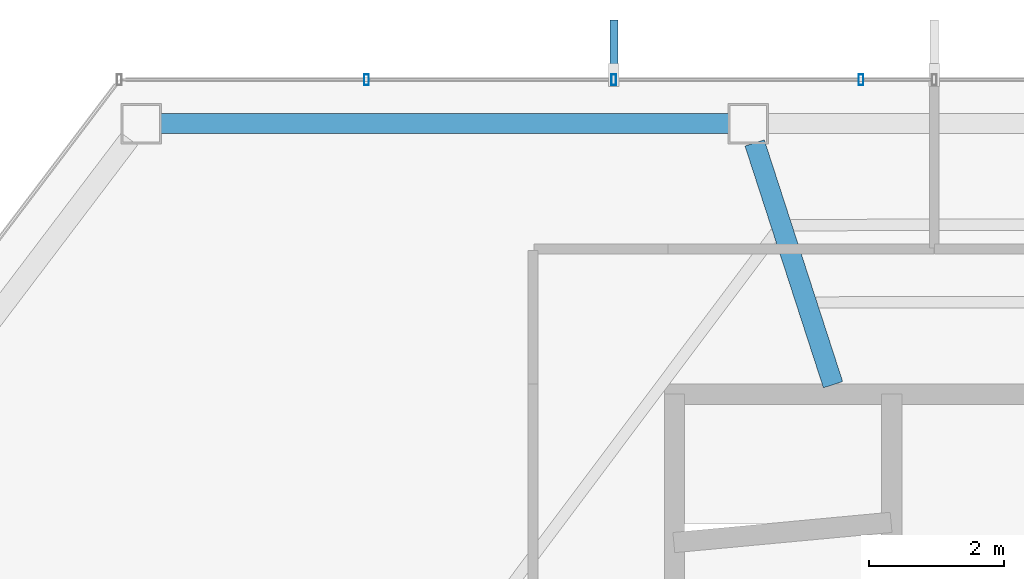
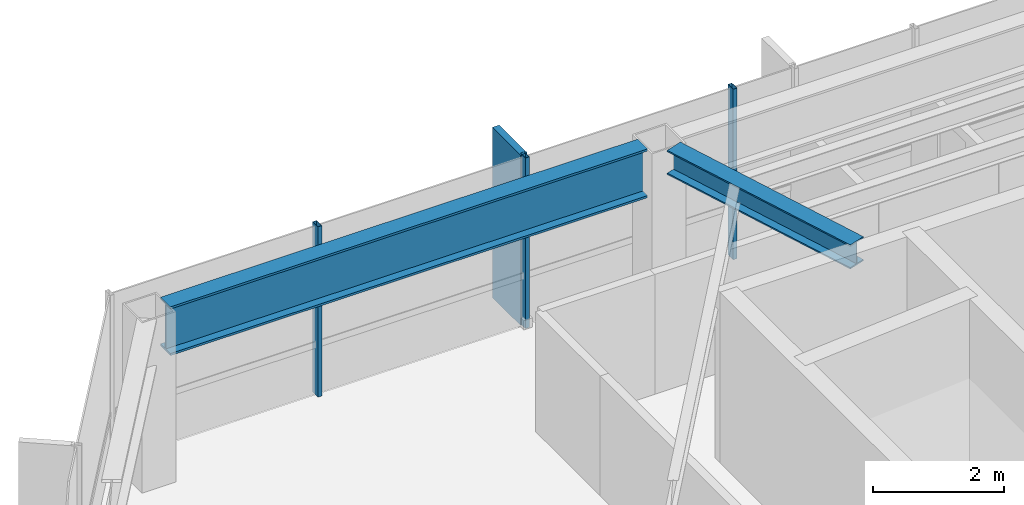
# One storey, part 11 of 25: 4 members, 2 beams, 1 element without a shape of its own.
"""IFC4 building model written with IfcOpenShell, lengths in metres."""

import ifcopenshell
import ifcopenshell.guid

model = None  # the IFC model being written
_history = None  # IfcOwnerHistory: only IFC2X3 demands one
_inside = {}  # id of a spatial element -> (the spatial element, [elements in it])
_under = {}  # id of a project, library or spatial element -> (it, [spatial elements below it])
_declared = {}  # id of a project -> (the project, [libraries it declares])
_typed = {}  # id of a type object -> (the type object, [elements of that type])
_made_of = {}  # id of a material, layer set ... -> (it, [elements and type objects made of it])


def new_model(schema):
    """Start an empty IFC model of exactly this schema.

    Asked for "IFC4X3", IfcOpenShell would pick the latest addendum, in which some entities
    have other attributes; the version numbers below select the first issue.
    IFC2X3 requires an IfcOwnerHistory on every rooted entity: one is made here for all.
    """
    global model, _history
    if schema == "IFC4X3":
        model = ifcopenshell.file(schema_version=(4, 3, 0, 0))
    else:
        model = ifcopenshell.file(schema=schema)
    _inside.clear()
    _under.clear()
    _declared.clear()
    _typed.clear()
    _made_of.clear()
    _history = None
    if model.schema == "IFC2X3":
        org = make("IfcOrganization", Name="unknown")
        user = make(
            "IfcPersonAndOrganization",
            ThePerson=make("IfcPerson", FamilyName="unknown"),
            TheOrganization=org,
        )
        app = make(
            "IfcApplication",
            ApplicationDeveloper=org,
            Version="unknown",
            ApplicationFullName="unknown",
            ApplicationIdentifier="unknown",
        )
        _history = make(
            "IfcOwnerHistory",
            OwningUser=user,
            OwningApplication=app,
            ChangeAction="ADDED",
            CreationDate=0,
        )
    return model


def make(cls, **values):
    """One entity of the class cls with the attributes given. An attribute that is None is left unset."""
    return model.create_entity(
        cls, **{name: value for name, value in values.items() if value is not None}
    )


def rooted(cls, **values):
    """An entity with a GlobalId (a new one), such as an element, a storey or a relation."""
    return make(cls, GlobalId=ifcopenshell.guid.new(), OwnerHistory=_history, **values)


def si_unit(unit_type, name, prefix=None):
    """IfcSIUnit, for example si_unit("LENGTHUNIT", "METRE", prefix="MILLI")."""
    return make("IfcSIUnit", UnitType=unit_type, Prefix=prefix, Name=name)


def assignment(units):
    """IfcUnitAssignment: the units of a project."""
    return None if units is None else make("IfcUnitAssignment", Units=units)


def point(xyz):
    """IfcCartesianPoint."""
    return None if xyz is None else make("IfcCartesianPoint", Coordinates=xyz)


def direction(xyz):
    """IfcDirection."""
    return None if xyz is None else make("IfcDirection", DirectionRatios=xyz)


def frame(location, z_axis=None, x_axis=None):
    """IfcAxis2Placement3D, a coordinate frame: its origin and axes. An axis left out is left unset."""
    return make(
        "IfcAxis2Placement3D",
        Location=point(location),
        Axis=direction(z_axis),
        RefDirection=direction(x_axis),
    )


def frame_2d(location, x_axis=None):
    """IfcAxis2Placement2D, a coordinate frame in the plane: its origin and x axis."""
    return make(
        "IfcAxis2Placement2D", Location=point(location), RefDirection=direction(x_axis)
    )


def origin():
    """The frame at (0, 0, 0) with its axes left unset."""
    return frame((0.0, 0.0, 0.0))


def origin_2d():
    """The frame at (0, 0) in the plane with its x axis left unset."""
    return frame_2d((0.0, 0.0))


def place(relative_to, where):
    """IfcLocalPlacement: puts the frame where relative to a parent placement (None: the world)."""
    return make(
        "IfcLocalPlacement", PlacementRelTo=relative_to, RelativePlacement=where
    )


def context(
    kind, dimensions, precision=None, world=None, true_north=None, identifier=None
):
    """IfcGeometricRepresentationContext, for example the 3D "Model" context."""
    return make(
        "IfcGeometricRepresentationContext",
        ContextIdentifier=identifier,
        ContextType=kind,
        CoordinateSpaceDimension=dimensions,
        Precision=precision,
        WorldCoordinateSystem=world,
        TrueNorth=true_north,
    )


def subcontext(parent, identifier, kind, view, scale=None):
    """IfcGeometricRepresentationSubContext, for example "Body" below "Model"."""
    return make(
        "IfcGeometricRepresentationSubContext",
        ContextIdentifier=identifier,
        ContextType=kind,
        ParentContext=parent,
        TargetScale=scale,
        TargetView=view,
    )


def project(units=None, contexts=None):
    """IfcProject with its units and contexts."""
    return rooted(
        "IfcProject",
        Name="project",
        RepresentationContexts=contexts,
        UnitsInContext=assignment(units),
    )


def spatial(cls, under=None, at=None, **own):
    """A site, building, storey or space (cls), placed at a placement, below another one or the project."""
    s = rooted(cls, ObjectPlacement=at, **own)
    if under is not None:
        _under.setdefault(under.id(), (under, []))[1].append(s)
    return s


def profile(cls, at=None, kind="AREA", **sizes):
    """A parametric profile (cls). Its sizes go by their IFC names, for example OverallWidth=200.0."""
    return make(cls, ProfileType=kind, Position=at, **sizes)


def rectangle(**sizes):
    """IfcRectangleProfileDef."""
    return profile("IfcRectangleProfileDef", **sizes)


def hollow_rectangle(**sizes):
    """IfcRectangleHollowProfileDef."""
    return profile("IfcRectangleHollowProfileDef", **sizes)


def i_section(**sizes):
    """IfcIShapeProfileDef."""
    return profile("IfcIShapeProfileDef", **sizes)


def extrude(swept, where, along, depth):
    """IfcExtrudedAreaSolid: the profile swept, set in the frame where, extruded along a direction by depth."""
    return make(
        "IfcExtrudedAreaSolid",
        SweptArea=swept,
        Position=where,
        ExtrudedDirection=direction(along),
        Depth=depth,
    )


def shape(context_of_items, identifier, shape_type, items):
    """IfcShapeRepresentation: the items that make up one representation, for example the "Body"."""
    return make(
        "IfcShapeRepresentation",
        ContextOfItems=context_of_items,
        RepresentationIdentifier=identifier,
        RepresentationType=shape_type,
        Items=items,
    )


def material(Name=None, Category=None):
    """IfcMaterial."""
    return make("IfcMaterial", Name=Name, Category=Category)


def layer(
    of_material, thickness, ventilated=None, Name=None, Category=None, Priority=None
):
    """IfcMaterialLayer: one layer of a wall or slab, of a material (None: an air gap)."""
    return make(
        "IfcMaterialLayer",
        Material=of_material,
        LayerThickness=thickness,
        IsVentilated=ventilated,
        Name=Name,
        Category=Category,
        Priority=Priority,
    )


def layer_set(layers, Name=None):
    """IfcMaterialLayerSet."""
    return make("IfcMaterialLayerSet", MaterialLayers=layers, LayerSetName=Name)


def material_profile(
    of_material, cross_section, Name=None, Category=None, Priority=None
):
    """IfcMaterialProfile: a cross section and its material."""
    return make(
        "IfcMaterialProfile",
        Name=Name,
        Material=of_material,
        Profile=cross_section,
        Priority=Priority,
        Category=Category,
    )


def profile_set(profiles, Name=None, composite=None):
    """IfcMaterialProfileSet."""
    return make(
        "IfcMaterialProfileSet",
        Name=Name,
        MaterialProfiles=profiles,
        CompositeProfile=composite,
    )


def made_of(thing, what):
    """Note that an element or type object is made of a material, layer set ...; save() writes the relation."""
    if what is not None:
        _made_of.setdefault(what.id(), (what, []))[1].append(thing)
    return thing


def type_object(cls, material=None, **own):
    """A type object (cls), such as IfcWallType, which elements share."""
    return made_of(rooted(cls, **own), material)


def element(
    cls,
    number,
    at=None,
    inside=None,
    cuts=None,
    type_object=None,
    material=None,
    context=None,
    identifier="Body",
    shape_type=None,
    held_by="IfcProductDefinitionShape",
    body=None,
    shapes=None,
    **own,
):
    """One element of the class cls, such as IfcWall. Its Tag is "e" and its number.

    at: its placement. inside: the storey or other place that contains it. cuts: it is an
    opening in that element (IfcRelVoidsElement). A single representation is given by context,
    identifier, shape_type and body (its items); several are given by shapes. held_by: the class
    of the entity that holds the representations. save() writes the other relations.
    """
    e = rooted(cls, Tag="e%d" % number, ObjectPlacement=at, **own)
    if body is not None:
        shapes = [shape(context, identifier, shape_type, body)]
    if shapes is not None:
        e.Representation = make(held_by, Representations=shapes)
    if inside is not None:
        _inside.setdefault(inside.id(), (inside, []))[1].append(e)
    if cuts is not None:
        rooted(
            "IfcRelVoidsElement", RelatingBuildingElement=cuts, RelatedOpeningElement=e
        )
    if type_object is not None:
        _typed.setdefault(type_object.id(), (type_object, []))[1].append(e)
    return made_of(e, material)


def aggregate(whole, parts):
    """IfcRelAggregates: a whole, such as a stair, and the parts it consists of."""
    return rooted("IfcRelAggregates", RelatingObject=whole, RelatedObjects=parts)


def save(model, path):
    """Write the relations noted so far, then the file.

    IfcRelAggregates (storeys below a building ...), IfcRelContainedInSpatialStructure (elements
    in a storey), IfcRelDefinesByType, IfcRelAssociatesMaterial and IfcRelDeclares: one each for
    every whole, place, type object, material and project.
    """
    for whole, parts in _under.values():
        aggregate(whole, parts)
    for where, things in _inside.values():
        rooted(
            "IfcRelContainedInSpatialStructure",
            RelatedElements=things,
            RelatingStructure=where,
        )
    for kind, things in _typed.values():
        rooted("IfcRelDefinesByType", RelatedObjects=things, RelatingType=kind)
    for what, things in _made_of.values():
        rooted("IfcRelAssociatesMaterial", RelatedObjects=things, RelatingMaterial=what)
    for by, libraries in _declared.values():
        rooted("IfcRelDeclares", RelatingContext=by, RelatedDefinitions=libraries)
    model.write(path)


model = new_model("IFC4")

# Units and contexts
model_context = context("Model", 3, precision=1e-05, world=origin(), true_north=direction((0.0, 1.0)))
body_context = subcontext(model_context, "Body", "Model", "MODEL_VIEW")
ifc_project = project(units=[si_unit("LENGTHUNIT", "METRE"), si_unit("AREAUNIT", "SQUARE_METRE"), si_unit("VOLUMEUNIT", "CUBIC_METRE"), si_unit("PLANEANGLEUNIT", "RADIAN"), si_unit("MASSUNIT", "GRAM", prefix="KILO")], contexts=[model_context])

# Site, building, storey
site_placement = place(None, origin())
site = spatial("IfcSite", under=ifc_project, at=site_placement, CompositionType="ELEMENT")
building_placement = place(site_placement, origin())
building = spatial("IfcBuilding", under=site, at=building_placement, Name="Zarrinselat Tower", CompositionType="ELEMENT")
storey_placement = place(building_placement, frame((0.0, 0.0, 242.760009765625)))
storey = spatial("IfcBuildingStorey", under=building, at=storey_placement, Name="L61", CompositionType="ELEMENT", Elevation=242.760009765625)

# Beams
ifc_material_1 = material(Name="Steel S355J2", Category="steel")
ifc_material_profile_1 = material_profile(ifc_material_1, i_section(OverallWidth=0.300048828125, OverallDepth=0.449951171875, WebThickness=0.013916015625, FlangeThickness=0.02587890625, at=origin_2d()), Name="HEB 450")
ifc_profile_set_1 = profile_set([ifc_material_profile_1], Name="Steel S355J2")
beam_type_1 = type_object("IfcBeamType", Name="BM-HEB450", PredefinedType="BEAM", material=ifc_profile_set_1)
beam_1_placement = place(storey_placement, frame((29.83740234375, 47.123779296875, 2.955078125), z_axis=(0.308577591776, -0.951199174649, 0.0), x_axis=(0.951199174649, 0.308577591776, 0.0)))
element("IfcBeam", 1, at=beam_1_placement, inside=storey, type_object=beam_type_1, Name="L61 Radial Primary Girder RG04", PredefinedType="BEAM", context=body_context, shape_type="SweptSolid", body=[
    extrude(i_section(OverallWidth=0.300048828125, OverallDepth=0.449951171875, WebThickness=0.013916015625, FlangeThickness=0.02587890625, at=origin_2d()), origin(), (0.0, 0.0, 1.0), 3.767578125),
])
ifc_material_2 = material(Name="Steel S460M", Category="steel")
ifc_material_profile_2 = material_profile(ifc_material_2, i_section(OverallWidth=0.302001953125, OverallDepth=0.909912109375, WebThickness=0.02099609375, FlangeThickness=0.0400390625, at=origin_2d()), Name="HEM 900")
ifc_profile_set_2 = profile_set([ifc_material_profile_2], Name="Steel S460M")
beam_type_2 = type_object("IfcBeamType", Name="BM-HEM900", PredefinedType="BEAM", material=ifc_profile_set_2)
beam_2_placement = place(storey_placement, frame((21.031982421875, 47.4111328125, 2.72509765625), z_axis=(1.0, 0.0, 0.0), x_axis=(0.0, 1.0, 0.0)))
element("IfcBeam", 2, at=beam_2_placement, inside=storey, type_object=beam_type_2, Name="L61 Perimeter Spandrel Girder SP04", PredefinedType="BEAM", context=body_context, shape_type="SweptSolid", body=[
    extrude(i_section(OverallWidth=0.302001953125, OverallDepth=0.909912109375, WebThickness=0.02099609375, FlangeThickness=0.0400390625, at=origin_2d()), origin(), (0.0, 0.0, 1.0), 8.42431640625),
])

# Curtain wall, members
ifc_material_3 = material(Name="Extruded Aluminium Alloy EN AW-6063 T6", Category="aluminium")
ifc_layer = layer(ifc_material_3, 0.169921875)
ifc_layer_set = layer_set([ifc_layer], Name="Extruded Aluminium Alloy EN AW-6063 T6")
curtain_wall_type = type_object("IfcCurtainWallType", Name="CWS-RES", PredefinedType="NOTDEFINED", material=ifc_layer_set)
curtain_wall_placement = place(storey_placement, origin())
curtain_wall = element("IfcCurtainWall", 3, at=curtain_wall_placement, inside=storey, type_object=curtain_wall_type, Name="L61 Unitised Curtain Wall CW-L61-E01", PredefinedType="NOTDEFINED")
ifc_material_4 = material(Name="Extruded Aluminium Alloy EN AW-6063 T6", Category="aluminium")
ifc_material_profile_3 = material_profile(ifc_material_4, hollow_rectangle(XDim=0.070068359375, YDim=0.159912109375, WallThickness=0.00390625, at=origin_2d()), Name="RHS 160x70x4")
ifc_profile_set_3 = profile_set([ifc_material_profile_3], Name="Extruded Aluminium Alloy EN AW-6063 T6")
member_type_1 = type_object("IfcMemberType", Name="MEM-CW-MUL2", PredefinedType="MULLION", material=ifc_profile_set_3)
member_1_placement = place(storey_placement, frame((31.415283203125, 48.06103515625, 0.0), z_axis=(0.0, 0.0, 1.0), x_axis=(-1.0, 0.0, 0.0)))
member_1 = element("IfcMember", 4, at=member_1_placement, type_object=member_type_1, Name="CW-L61-E01 Mullion 10", PredefinedType="MULLION", context=body_context, shape_type="SweptSolid", body=[
    extrude(hollow_rectangle(XDim=0.070068359375, YDim=0.159912109375, WallThickness=0.00390625, at=origin_2d()), origin(), (0.0, 0.0, 1.0), 3.179931640625),
])
member_2_placement = place(storey_placement, frame((27.75048828125, 48.06103515625, 0.0), z_axis=(0.0, 0.0, 1.0), x_axis=(-1.0, 0.0, 0.0)))
member_2 = element("IfcMember", 5, at=member_2_placement, type_object=member_type_1, Name="CW-L61-E01 Mullion 11", PredefinedType="MULLION", context=body_context, shape_type="SweptSolid", body=[
    extrude(hollow_rectangle(XDim=0.070068359375, YDim=0.159912109375, WallThickness=0.00390625, at=origin_2d()), origin(), (0.0, 0.0, 1.0), 3.179931640625),
])
member_3_placement = place(storey_placement, frame((24.085693359375, 48.06103515625, 0.0), z_axis=(0.0, 0.0, 1.0), x_axis=(-1.0, 0.0, 0.0)))
member_3 = element("IfcMember", 6, at=member_3_placement, type_object=member_type_1, Name="CW-L61-E01 Mullion 12", PredefinedType="MULLION", context=body_context, shape_type="SweptSolid", body=[
    extrude(hollow_rectangle(XDim=0.070068359375, YDim=0.159912109375, WallThickness=0.00390625, at=origin_2d()), origin(), (0.0, 0.0, 1.0), 3.179931640625),
])
ifc_material_5 = material(Name="Honed Cream Travertine Stone", Category="masonry")
ifc_material_profile_4 = material_profile(ifc_material_5, rectangle(XDim=0.1201171875, YDim=0.85009765625, at=origin_2d()), Name="FIN 850x120")
ifc_profile_set_4 = profile_set([ifc_material_profile_4], Name="Honed Cream Travertine Stone")
member_type_2 = type_object("IfcMemberType", Name="MEM-STONE-FIN", PredefinedType="USERDEFINED", material=ifc_profile_set_4)
member_4_placement = place(storey_placement, frame((27.75048828125, 48.52099609375, 0.0), z_axis=(0.0, 0.0, 1.0), x_axis=(1.0, 0.0, 0.0)))
member_4 = element("IfcMember", 7, at=member_4_placement, type_object=member_type_2, Name="L61 Stone Shading Fin CW-L61-E01-11", ObjectType="FIN", PredefinedType="USERDEFINED", context=body_context, shape_type="SweptSolid", body=[
    extrude(rectangle(XDim=0.1201171875, YDim=0.85009765625, at=origin_2d()), origin(), (0.0, 0.0, 1.0), 3.179931640625),
])
aggregate(curtain_wall, [member_1, member_2, member_4, member_3])

save(model, "model.ifc")
